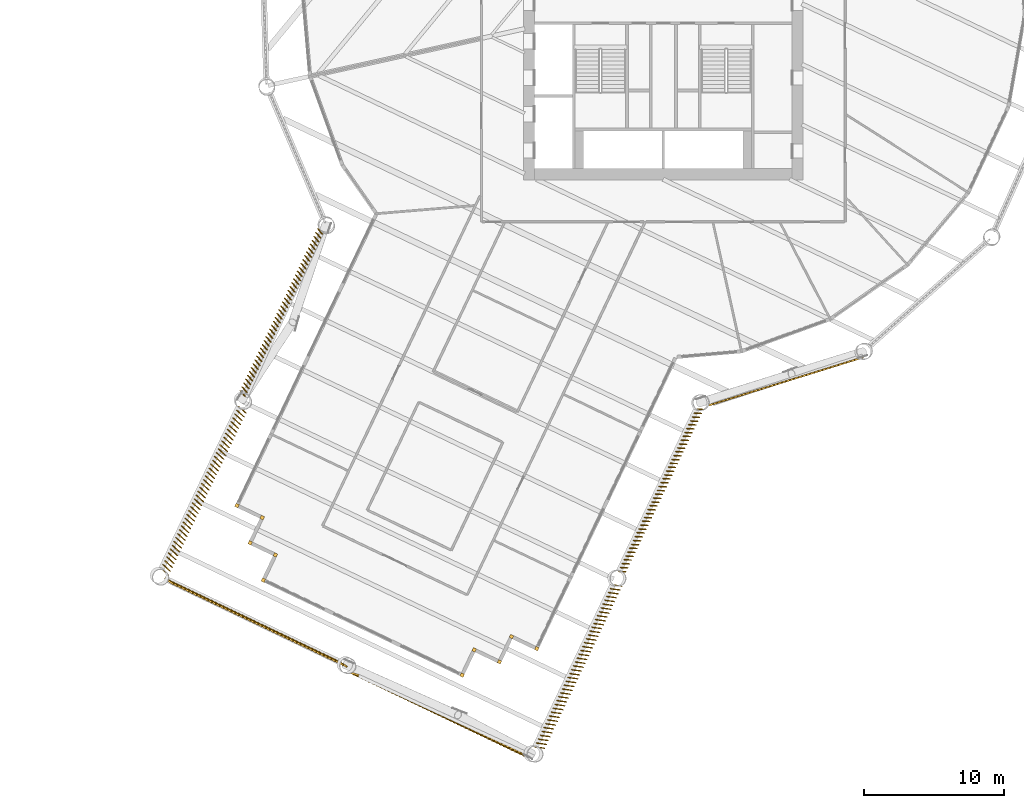
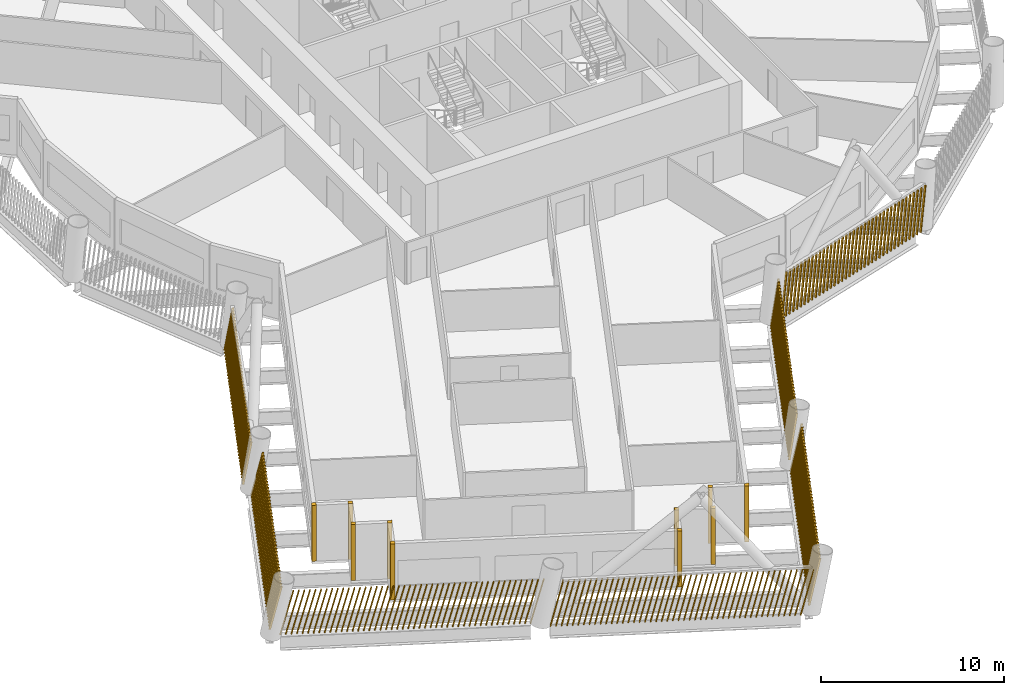
# One storey, part 17 of 22: 17 shading devices.
"""IFC4 building model written with IfcOpenShell, lengths in metres."""

from ifc_helpers import new_model, si_unit, direction, frame, frame_2d, origin, origin_2d, place, context, subcontext, project, spatial, rectangle, composite_profile, extrude, material, type_object, element, save


model = new_model("IFC4")

# Units and contexts
model_context = context("Model", 3, precision=1e-05, world=origin(), true_north=direction((0.0, 1.0)))
body_context = subcontext(model_context, "Body", "Model", "MODEL_VIEW")
ifc_project = project(units=[si_unit("LENGTHUNIT", "METRE"), si_unit("AREAUNIT", "SQUARE_METRE"), si_unit("VOLUMEUNIT", "CUBIC_METRE"), si_unit("PLANEANGLEUNIT", "RADIAN"), si_unit("MASSUNIT", "GRAM", prefix="KILO")], contexts=[model_context])

# Site, building, storey
site_placement = place(None, origin())
site = spatial("IfcSite", under=ifc_project, at=site_placement, CompositionType="ELEMENT")
building_placement = place(site_placement, origin())
building = spatial("IfcBuilding", under=site, at=building_placement, Name="Tarsis Ring Headquarters", CompositionType="ELEMENT")
storey_placement = place(building_placement, frame((0.0, 0.0, 108.39990234375)))
storey = spatial("IfcBuildingStorey", under=building, at=storey_placement, Name="L24", CompositionType="ELEMENT", Elevation=108.39990234375)

# Shading devices
ifc_material = material(Name="Terracotta baguette", Category="masonry")
shading_device_type_1 = type_object("IfcShadingDeviceType", Name="Terracotta baguette screen", PredefinedType="USERDEFINED", material=ifc_material)
shading_device_1_placement = place(storey_placement, frame((-24.678466796875, -16.47021484375, 0.0), z_axis=(0.0, 0.0, 1.0), x_axis=(-0.430839388435, -0.902437178323, 0.0)))
element("IfcShadingDevice", 1, at=shading_device_1_placement, inside=storey, type_object=shading_device_type_1, Name="Baguette screen L24-01", ObjectType="Terracotta baguette screen", PredefinedType="USERDEFINED", context=body_context, shape_type="SweptSolid", body=[
    extrude(composite_profile([rectangle(XDim=0.06005859375, YDim=0.1201171875, at=frame_2d((0.030029296875, 0.0))), rectangle(XDim=0.06005859375, YDim=0.1201171875, at=frame_2d((0.335693359375, 0.0))), rectangle(XDim=0.06005859375, YDim=0.1201171875, at=frame_2d((0.6416015625, 0.0))), rectangle(XDim=0.06005859375, YDim=0.1201171875, at=frame_2d((0.947265625, 0.0))), rectangle(XDim=0.06005859375, YDim=0.1201171875, at=frame_2d((1.253173828125, 0.0))), rectangle(XDim=0.06005859375, YDim=0.1201171875, at=frame_2d((1.558837890625, 0.0))), rectangle(XDim=0.06005859375, YDim=0.1201171875, at=frame_2d((1.864501953125, 0.0))), rectangle(XDim=0.06005859375, YDim=0.1201171875, at=frame_2d((2.17041015625, 0.0))), rectangle(XDim=0.06005859375, YDim=0.1201171875, at=frame_2d((2.47607421875, 0.0))), rectangle(XDim=0.06005859375, YDim=0.1201171875, at=frame_2d((2.781982421875, 0.0))), rectangle(XDim=0.06005859375, YDim=0.1201171875, at=frame_2d((3.087646484375, 0.0))), rectangle(XDim=0.06005859375, YDim=0.1201171875, at=frame_2d((3.393310546875, 0.0))), rectangle(XDim=0.06005859375, YDim=0.1201171875, at=frame_2d((3.69921875, 0.0))), rectangle(XDim=0.06005859375, YDim=0.1201171875, at=frame_2d((4.0048828125, 0.0))), rectangle(XDim=0.06005859375, YDim=0.1201171875, at=frame_2d((4.310791015625, 0.0))), rectangle(XDim=0.06005859375, YDim=0.1201171875, at=frame_2d((4.616455078125, 0.0))), rectangle(XDim=0.06005859375, YDim=0.1201171875, at=frame_2d((4.922119140625, 0.0))), rectangle(XDim=0.06005859375, YDim=0.1201171875, at=frame_2d((5.22802734375, 0.0))), rectangle(XDim=0.06005859375, YDim=0.1201171875, at=frame_2d((5.53369140625, 0.0))), rectangle(XDim=0.06005859375, YDim=0.1201171875, at=frame_2d((5.839599609375, 0.0))), rectangle(XDim=0.06005859375, YDim=0.1201171875, at=frame_2d((6.145263671875, 0.0))), rectangle(XDim=0.06005859375, YDim=0.1201171875, at=frame_2d((6.451171875, 0.0))), rectangle(XDim=0.06005859375, YDim=0.1201171875, at=frame_2d((6.7568359375, 0.0))), rectangle(XDim=0.06005859375, YDim=0.1201171875, at=frame_2d((7.0625, 0.0))), rectangle(XDim=0.06005859375, YDim=0.1201171875, at=frame_2d((7.368408203125, 0.0))), rectangle(XDim=0.06005859375, YDim=0.1201171875, at=frame_2d((7.674072265625, 0.0))), rectangle(XDim=0.06005859375, YDim=0.1201171875, at=frame_2d((7.97998046875, 0.0))), rectangle(XDim=0.06005859375, YDim=0.1201171875, at=frame_2d((8.28564453125, 0.0))), rectangle(XDim=0.06005859375, YDim=0.1201171875, at=frame_2d((8.59130859375, 0.0))), rectangle(XDim=0.06005859375, YDim=0.1201171875, at=frame_2d((8.897216796875, 0.0))), rectangle(XDim=0.06005859375, YDim=0.1201171875, at=frame_2d((9.202880859375, 0.0))), rectangle(XDim=0.06005859375, YDim=0.1201171875, at=frame_2d((9.5087890625, 0.0))), rectangle(XDim=0.06005859375, YDim=0.1201171875, at=frame_2d((9.814453125, 0.0))), rectangle(XDim=0.06005859375, YDim=0.1201171875, at=frame_2d((10.1201171875, 0.0))), rectangle(XDim=0.06005859375, YDim=0.1201171875, at=frame_2d((10.426025390625, 0.0))), rectangle(XDim=0.06005859375, YDim=0.1201171875, at=frame_2d((10.731689453125, 0.0))), rectangle(XDim=0.06005859375, YDim=0.1201171875, at=frame_2d((11.03759765625, 0.0))), rectangle(XDim=0.06005859375, YDim=0.1201171875, at=frame_2d((11.34326171875, 0.0))), rectangle(XDim=0.06005859375, YDim=0.1201171875, at=frame_2d((11.64892578125, 0.0))), rectangle(XDim=0.06005859375, YDim=0.1201171875, at=frame_2d((11.954833984375, 0.0))), rectangle(XDim=0.06005859375, YDim=0.1201171875, at=frame_2d((12.260498046875, 0.0))), rectangle(XDim=0.06005859375, YDim=0.1201171875, at=frame_2d((12.56640625, 0.0))), rectangle(XDim=0.06005859375, YDim=0.1201171875, at=frame_2d((12.8720703125, 0.0)))]), origin(), (0.06806187468, 0.145841908442, 0.986963889389), 2.99169921875),
])
shading_device_2_placement = place(storey_placement, frame((-30.32958984375, -29.177734375, 0.0), z_axis=(0.0, 0.0, 1.0), x_axis=(-0.430828618465, -0.902435332185, 0.0)))
element("IfcShadingDevice", 2, at=shading_device_2_placement, inside=storey, type_object=shading_device_type_1, Name="Baguette screen L24-02", ObjectType="Terracotta baguette screen", PredefinedType="USERDEFINED", context=body_context, shape_type="SweptSolid", body=[
    extrude(composite_profile([rectangle(XDim=0.06005859375, YDim=0.1201171875, at=frame_2d((0.030029296875, 0.0))), rectangle(XDim=0.06005859375, YDim=0.1201171875, at=frame_2d((0.335693359375, 0.0))), rectangle(XDim=0.06005859375, YDim=0.1201171875, at=frame_2d((0.6416015625, 0.0))), rectangle(XDim=0.06005859375, YDim=0.1201171875, at=frame_2d((0.947265625, 0.0))), rectangle(XDim=0.06005859375, YDim=0.1201171875, at=frame_2d((1.253173828125, 0.0))), rectangle(XDim=0.06005859375, YDim=0.1201171875, at=frame_2d((1.558837890625, 0.0))), rectangle(XDim=0.06005859375, YDim=0.1201171875, at=frame_2d((1.864501953125, 0.0))), rectangle(XDim=0.06005859375, YDim=0.1201171875, at=frame_2d((2.17041015625, 0.0))), rectangle(XDim=0.06005859375, YDim=0.1201171875, at=frame_2d((2.47607421875, 0.0))), rectangle(XDim=0.06005859375, YDim=0.1201171875, at=frame_2d((2.781982421875, 0.0))), rectangle(XDim=0.06005859375, YDim=0.1201171875, at=frame_2d((3.087646484375, 0.0))), rectangle(XDim=0.06005859375, YDim=0.1201171875, at=frame_2d((3.393310546875, 0.0))), rectangle(XDim=0.06005859375, YDim=0.1201171875, at=frame_2d((3.69921875, 0.0))), rectangle(XDim=0.06005859375, YDim=0.1201171875, at=frame_2d((4.0048828125, 0.0))), rectangle(XDim=0.06005859375, YDim=0.1201171875, at=frame_2d((4.310791015625, 0.0))), rectangle(XDim=0.06005859375, YDim=0.1201171875, at=frame_2d((4.616455078125, 0.0))), rectangle(XDim=0.06005859375, YDim=0.1201171875, at=frame_2d((4.922119140625, 0.0))), rectangle(XDim=0.06005859375, YDim=0.1201171875, at=frame_2d((5.22802734375, 0.0))), rectangle(XDim=0.06005859375, YDim=0.1201171875, at=frame_2d((5.53369140625, 0.0))), rectangle(XDim=0.06005859375, YDim=0.1201171875, at=frame_2d((5.839599609375, 0.0))), rectangle(XDim=0.06005859375, YDim=0.1201171875, at=frame_2d((6.145263671875, 0.0))), rectangle(XDim=0.06005859375, YDim=0.1201171875, at=frame_2d((6.451171875, 0.0))), rectangle(XDim=0.06005859375, YDim=0.1201171875, at=frame_2d((6.7568359375, 0.0))), rectangle(XDim=0.06005859375, YDim=0.1201171875, at=frame_2d((7.0625, 0.0))), rectangle(XDim=0.06005859375, YDim=0.1201171875, at=frame_2d((7.368408203125, 0.0))), rectangle(XDim=0.06005859375, YDim=0.1201171875, at=frame_2d((7.674072265625, 0.0))), rectangle(XDim=0.06005859375, YDim=0.1201171875, at=frame_2d((7.97998046875, 0.0))), rectangle(XDim=0.06005859375, YDim=0.1201171875, at=frame_2d((8.28564453125, 0.0))), rectangle(XDim=0.06005859375, YDim=0.1201171875, at=frame_2d((8.59130859375, 0.0))), rectangle(XDim=0.06005859375, YDim=0.1201171875, at=frame_2d((8.897216796875, 0.0))), rectangle(XDim=0.06005859375, YDim=0.1201171875, at=frame_2d((9.202880859375, 0.0))), rectangle(XDim=0.06005859375, YDim=0.1201171875, at=frame_2d((9.5087890625, 0.0))), rectangle(XDim=0.06005859375, YDim=0.1201171875, at=frame_2d((9.814453125, 0.0))), rectangle(XDim=0.06005859375, YDim=0.1201171875, at=frame_2d((10.1201171875, 0.0))), rectangle(XDim=0.06005859375, YDim=0.1201171875, at=frame_2d((10.426025390625, 0.0))), rectangle(XDim=0.06005859375, YDim=0.1201171875, at=frame_2d((10.731689453125, 0.0))), rectangle(XDim=0.06005859375, YDim=0.1201171875, at=frame_2d((11.03759765625, 0.0))), rectangle(XDim=0.06005859375, YDim=0.1201171875, at=frame_2d((11.34326171875, 0.0))), rectangle(XDim=0.06005859375, YDim=0.1201171875, at=frame_2d((11.64892578125, 0.0))), rectangle(XDim=0.06005859375, YDim=0.1201171875, at=frame_2d((11.954833984375, 0.0))), rectangle(XDim=0.06005859375, YDim=0.1201171875, at=frame_2d((12.260498046875, 0.0))), rectangle(XDim=0.06005859375, YDim=0.1201171875, at=frame_2d((12.56640625, 0.0))), rectangle(XDim=0.06005859375, YDim=0.1201171875, at=frame_2d((12.8720703125, 0.0)))]), origin(), (0.065206990385, 0.206810586402, 0.976205628829), 3.024658203125),
])
shading_device_3_placement = place(storey_placement, frame((-35.65234375, -41.48779296875, 0.0), z_axis=(0.0, 0.0, 1.0), x_axis=(0.902432551968, -0.430818222026, 0.0)))
element("IfcShadingDevice", 3, at=shading_device_3_placement, inside=storey, type_object=shading_device_type_1, Name="Baguette screen L24-03", ObjectType="Terracotta baguette screen", PredefinedType="USERDEFINED", context=body_context, shape_type="SweptSolid", body=[
    extrude(composite_profile([rectangle(XDim=0.06005859375, YDim=0.1201171875, at=frame_2d((0.030029296875, 0.0))), rectangle(XDim=0.06005859375, YDim=0.1201171875, at=frame_2d((0.33544921875, 0.0))), rectangle(XDim=0.06005859375, YDim=0.1201171875, at=frame_2d((0.640625, 0.0))), rectangle(XDim=0.06005859375, YDim=0.1201171875, at=frame_2d((0.946044921875, 0.0))), rectangle(XDim=0.06005859375, YDim=0.1201171875, at=frame_2d((1.25146484375, 0.0))), rectangle(XDim=0.06005859375, YDim=0.1201171875, at=frame_2d((1.556640625, 0.0))), rectangle(XDim=0.06005859375, YDim=0.1201171875, at=frame_2d((1.862060546875, 0.0))), rectangle(XDim=0.06005859375, YDim=0.1201171875, at=frame_2d((2.16748046875, 0.0))), rectangle(XDim=0.06005859375, YDim=0.1201171875, at=frame_2d((2.47265625, 0.0))), rectangle(XDim=0.06005859375, YDim=0.1201171875, at=frame_2d((2.778076171875, 0.0))), rectangle(XDim=0.06005859375, YDim=0.1201171875, at=frame_2d((3.08349609375, 0.0))), rectangle(XDim=0.06005859375, YDim=0.1201171875, at=frame_2d((3.388671875, 0.0))), rectangle(XDim=0.06005859375, YDim=0.1201171875, at=frame_2d((3.694091796875, 0.0))), rectangle(XDim=0.06005859375, YDim=0.1201171875, at=frame_2d((3.99951171875, 0.0))), rectangle(XDim=0.06005859375, YDim=0.1201171875, at=frame_2d((4.3046875, 0.0))), rectangle(XDim=0.06005859375, YDim=0.1201171875, at=frame_2d((4.610107421875, 0.0))), rectangle(XDim=0.06005859375, YDim=0.1201171875, at=frame_2d((4.91552734375, 0.0))), rectangle(XDim=0.06005859375, YDim=0.1201171875, at=frame_2d((5.220703125, 0.0))), rectangle(XDim=0.06005859375, YDim=0.1201171875, at=frame_2d((5.526123046875, 0.0))), rectangle(XDim=0.06005859375, YDim=0.1201171875, at=frame_2d((5.83154296875, 0.0))), rectangle(XDim=0.06005859375, YDim=0.1201171875, at=frame_2d((6.13671875, 0.0))), rectangle(XDim=0.06005859375, YDim=0.1201171875, at=frame_2d((6.442138671875, 0.0))), rectangle(XDim=0.06005859375, YDim=0.1201171875, at=frame_2d((6.74755859375, 0.0))), rectangle(XDim=0.06005859375, YDim=0.1201171875, at=frame_2d((7.052734375, 0.0))), rectangle(XDim=0.06005859375, YDim=0.1201171875, at=frame_2d((7.358154296875, 0.0))), rectangle(XDim=0.06005859375, YDim=0.1201171875, at=frame_2d((7.66357421875, 0.0))), rectangle(XDim=0.06005859375, YDim=0.1201171875, at=frame_2d((7.96875, 0.0))), rectangle(XDim=0.06005859375, YDim=0.1201171875, at=frame_2d((8.274169921875, 0.0))), rectangle(XDim=0.06005859375, YDim=0.1201171875, at=frame_2d((8.57958984375, 0.0))), rectangle(XDim=0.06005859375, YDim=0.1201171875, at=frame_2d((8.884765625, 0.0))), rectangle(XDim=0.06005859375, YDim=0.1201171875, at=frame_2d((9.190185546875, 0.0))), rectangle(XDim=0.06005859375, YDim=0.1201171875, at=frame_2d((9.49560546875, 0.0))), rectangle(XDim=0.06005859375, YDim=0.1201171875, at=frame_2d((9.80078125, 0.0))), rectangle(XDim=0.06005859375, YDim=0.1201171875, at=frame_2d((10.106201171875, 0.0))), rectangle(XDim=0.06005859375, YDim=0.1201171875, at=frame_2d((10.41162109375, 0.0))), rectangle(XDim=0.06005859375, YDim=0.1201171875, at=frame_2d((10.716796875, 0.0))), rectangle(XDim=0.06005859375, YDim=0.1201171875, at=frame_2d((11.022216796875, 0.0))), rectangle(XDim=0.06005859375, YDim=0.1201171875, at=frame_2d((11.32763671875, 0.0))), rectangle(XDim=0.06005859375, YDim=0.1201171875, at=frame_2d((11.6328125, 0.0))), rectangle(XDim=0.06005859375, YDim=0.1201171875, at=frame_2d((11.938232421875, 0.0))), rectangle(XDim=0.06005859375, YDim=0.1201171875, at=frame_2d((12.24365234375, 0.0))), rectangle(XDim=0.06005859375, YDim=0.1201171875, at=frame_2d((12.548828125, 0.0))), rectangle(XDim=0.06005859375, YDim=0.1201171875, at=frame_2d((12.854248046875, 0.0))), rectangle(XDim=0.06005859375, YDim=0.1201171875, at=frame_2d((13.15966796875, 0.0))), rectangle(XDim=0.06005859375, YDim=0.1201171875, at=frame_2d((13.46484375, 0.0))), rectangle(XDim=0.06005859375, YDim=0.1201171875, at=frame_2d((13.770263671875, 0.0)))]), origin(), (0.236621049518, -0.031523690631, 0.971090487984), 3.04052734375),
])
shading_device_4_placement = place(storey_placement, frame((-22.4580078125, -48.202392578125, 0.0), z_axis=(0.0, 0.0, 1.0), x_axis=(0.902432551968, -0.430818222026, 0.0)))
element("IfcShadingDevice", 4, at=shading_device_4_placement, inside=storey, type_object=shading_device_type_1, Name="Baguette screen L24-04", ObjectType="Terracotta baguette screen", PredefinedType="USERDEFINED", context=body_context, shape_type="SweptSolid", body=[
    extrude(composite_profile([rectangle(XDim=0.06005859375, YDim=0.1201171875, at=frame_2d((0.030029296875, 0.0))), rectangle(XDim=0.06005859375, YDim=0.1201171875, at=frame_2d((0.33544921875, 0.0))), rectangle(XDim=0.06005859375, YDim=0.1201171875, at=frame_2d((0.640625, 0.0))), rectangle(XDim=0.06005859375, YDim=0.1201171875, at=frame_2d((0.946044921875, 0.0))), rectangle(XDim=0.06005859375, YDim=0.1201171875, at=frame_2d((1.25146484375, 0.0))), rectangle(XDim=0.06005859375, YDim=0.1201171875, at=frame_2d((1.556640625, 0.0))), rectangle(XDim=0.06005859375, YDim=0.1201171875, at=frame_2d((1.862060546875, 0.0))), rectangle(XDim=0.06005859375, YDim=0.1201171875, at=frame_2d((2.16748046875, 0.0))), rectangle(XDim=0.06005859375, YDim=0.1201171875, at=frame_2d((2.47265625, 0.0))), rectangle(XDim=0.06005859375, YDim=0.1201171875, at=frame_2d((2.778076171875, 0.0))), rectangle(XDim=0.06005859375, YDim=0.1201171875, at=frame_2d((3.08349609375, 0.0))), rectangle(XDim=0.06005859375, YDim=0.1201171875, at=frame_2d((3.388671875, 0.0))), rectangle(XDim=0.06005859375, YDim=0.1201171875, at=frame_2d((3.694091796875, 0.0))), rectangle(XDim=0.06005859375, YDim=0.1201171875, at=frame_2d((3.99951171875, 0.0))), rectangle(XDim=0.06005859375, YDim=0.1201171875, at=frame_2d((4.3046875, 0.0))), rectangle(XDim=0.06005859375, YDim=0.1201171875, at=frame_2d((4.610107421875, 0.0))), rectangle(XDim=0.06005859375, YDim=0.1201171875, at=frame_2d((4.91552734375, 0.0))), rectangle(XDim=0.06005859375, YDim=0.1201171875, at=frame_2d((5.220703125, 0.0))), rectangle(XDim=0.06005859375, YDim=0.1201171875, at=frame_2d((5.526123046875, 0.0))), rectangle(XDim=0.06005859375, YDim=0.1201171875, at=frame_2d((5.83154296875, 0.0))), rectangle(XDim=0.06005859375, YDim=0.1201171875, at=frame_2d((6.13671875, 0.0))), rectangle(XDim=0.06005859375, YDim=0.1201171875, at=frame_2d((6.442138671875, 0.0))), rectangle(XDim=0.06005859375, YDim=0.1201171875, at=frame_2d((6.74755859375, 0.0))), rectangle(XDim=0.06005859375, YDim=0.1201171875, at=frame_2d((7.052734375, 0.0))), rectangle(XDim=0.06005859375, YDim=0.1201171875, at=frame_2d((7.358154296875, 0.0))), rectangle(XDim=0.06005859375, YDim=0.1201171875, at=frame_2d((7.66357421875, 0.0))), rectangle(XDim=0.06005859375, YDim=0.1201171875, at=frame_2d((7.96875, 0.0))), rectangle(XDim=0.06005859375, YDim=0.1201171875, at=frame_2d((8.274169921875, 0.0))), rectangle(XDim=0.06005859375, YDim=0.1201171875, at=frame_2d((8.57958984375, 0.0))), rectangle(XDim=0.06005859375, YDim=0.1201171875, at=frame_2d((8.884765625, 0.0))), rectangle(XDim=0.06005859375, YDim=0.1201171875, at=frame_2d((9.190185546875, 0.0))), rectangle(XDim=0.06005859375, YDim=0.1201171875, at=frame_2d((9.49560546875, 0.0))), rectangle(XDim=0.06005859375, YDim=0.1201171875, at=frame_2d((9.80078125, 0.0))), rectangle(XDim=0.06005859375, YDim=0.1201171875, at=frame_2d((10.106201171875, 0.0))), rectangle(XDim=0.06005859375, YDim=0.1201171875, at=frame_2d((10.41162109375, 0.0))), rectangle(XDim=0.06005859375, YDim=0.1201171875, at=frame_2d((10.716796875, 0.0))), rectangle(XDim=0.06005859375, YDim=0.1201171875, at=frame_2d((11.022216796875, 0.0))), rectangle(XDim=0.06005859375, YDim=0.1201171875, at=frame_2d((11.32763671875, 0.0))), rectangle(XDim=0.06005859375, YDim=0.1201171875, at=frame_2d((11.6328125, 0.0))), rectangle(XDim=0.06005859375, YDim=0.1201171875, at=frame_2d((11.938232421875, 0.0))), rectangle(XDim=0.06005859375, YDim=0.1201171875, at=frame_2d((12.24365234375, 0.0))), rectangle(XDim=0.06005859375, YDim=0.1201171875, at=frame_2d((12.548828125, 0.0))), rectangle(XDim=0.06005859375, YDim=0.1201171875, at=frame_2d((12.854248046875, 0.0))), rectangle(XDim=0.06005859375, YDim=0.1201171875, at=frame_2d((13.15966796875, 0.0))), rectangle(XDim=0.06005859375, YDim=0.1201171875, at=frame_2d((13.46484375, 0.0))), rectangle(XDim=0.06005859375, YDim=0.1201171875, at=frame_2d((13.770263671875, 0.0)))]), origin(), (0.237754691474, 0.034736517469, 0.970703910076), 3.041748046875),
])
shading_device_5_placement = place(storey_placement, frame((-9.17626953125, -53.573486328125, 0.0), z_axis=(0.0, 0.0, 1.0), x_axis=(0.430839388435, 0.902418256131, 0.0)))
element("IfcShadingDevice", 5, at=shading_device_5_placement, inside=storey, type_object=shading_device_type_1, Name="Baguette screen L24-05", ObjectType="Terracotta baguette screen", PredefinedType="USERDEFINED", context=body_context, shape_type="SweptSolid", body=[
    extrude(composite_profile([rectangle(XDim=0.06005859375, YDim=0.1201171875, at=frame_2d((0.030029296875, 0.0))), rectangle(XDim=0.06005859375, YDim=0.1201171875, at=frame_2d((0.335693359375, 0.0))), rectangle(XDim=0.06005859375, YDim=0.1201171875, at=frame_2d((0.6416015625, 0.0))), rectangle(XDim=0.06005859375, YDim=0.1201171875, at=frame_2d((0.947265625, 0.0))), rectangle(XDim=0.06005859375, YDim=0.1201171875, at=frame_2d((1.253173828125, 0.0))), rectangle(XDim=0.06005859375, YDim=0.1201171875, at=frame_2d((1.558837890625, 0.0))), rectangle(XDim=0.06005859375, YDim=0.1201171875, at=frame_2d((1.864501953125, 0.0))), rectangle(XDim=0.06005859375, YDim=0.1201171875, at=frame_2d((2.17041015625, 0.0))), rectangle(XDim=0.06005859375, YDim=0.1201171875, at=frame_2d((2.47607421875, 0.0))), rectangle(XDim=0.06005859375, YDim=0.1201171875, at=frame_2d((2.781982421875, 0.0))), rectangle(XDim=0.06005859375, YDim=0.1201171875, at=frame_2d((3.087646484375, 0.0))), rectangle(XDim=0.06005859375, YDim=0.1201171875, at=frame_2d((3.393310546875, 0.0))), rectangle(XDim=0.06005859375, YDim=0.1201171875, at=frame_2d((3.69921875, 0.0))), rectangle(XDim=0.06005859375, YDim=0.1201171875, at=frame_2d((4.0048828125, 0.0))), rectangle(XDim=0.06005859375, YDim=0.1201171875, at=frame_2d((4.310791015625, 0.0))), rectangle(XDim=0.06005859375, YDim=0.1201171875, at=frame_2d((4.616455078125, 0.0))), rectangle(XDim=0.06005859375, YDim=0.1201171875, at=frame_2d((4.922119140625, 0.0))), rectangle(XDim=0.06005859375, YDim=0.1201171875, at=frame_2d((5.22802734375, 0.0))), rectangle(XDim=0.06005859375, YDim=0.1201171875, at=frame_2d((5.53369140625, 0.0))), rectangle(XDim=0.06005859375, YDim=0.1201171875, at=frame_2d((5.839599609375, 0.0))), rectangle(XDim=0.06005859375, YDim=0.1201171875, at=frame_2d((6.145263671875, 0.0))), rectangle(XDim=0.06005859375, YDim=0.1201171875, at=frame_2d((6.451171875, 0.0))), rectangle(XDim=0.06005859375, YDim=0.1201171875, at=frame_2d((6.7568359375, 0.0))), rectangle(XDim=0.06005859375, YDim=0.1201171875, at=frame_2d((7.0625, 0.0))), rectangle(XDim=0.06005859375, YDim=0.1201171875, at=frame_2d((7.368408203125, 0.0))), rectangle(XDim=0.06005859375, YDim=0.1201171875, at=frame_2d((7.674072265625, 0.0))), rectangle(XDim=0.06005859375, YDim=0.1201171875, at=frame_2d((7.97998046875, 0.0))), rectangle(XDim=0.06005859375, YDim=0.1201171875, at=frame_2d((8.28564453125, 0.0))), rectangle(XDim=0.06005859375, YDim=0.1201171875, at=frame_2d((8.59130859375, 0.0))), rectangle(XDim=0.06005859375, YDim=0.1201171875, at=frame_2d((8.897216796875, 0.0))), rectangle(XDim=0.06005859375, YDim=0.1201171875, at=frame_2d((9.202880859375, 0.0))), rectangle(XDim=0.06005859375, YDim=0.1201171875, at=frame_2d((9.5087890625, 0.0))), rectangle(XDim=0.06005859375, YDim=0.1201171875, at=frame_2d((9.814453125, 0.0))), rectangle(XDim=0.06005859375, YDim=0.1201171875, at=frame_2d((10.1201171875, 0.0))), rectangle(XDim=0.06005859375, YDim=0.1201171875, at=frame_2d((10.426025390625, 0.0))), rectangle(XDim=0.06005859375, YDim=0.1201171875, at=frame_2d((10.731689453125, 0.0))), rectangle(XDim=0.06005859375, YDim=0.1201171875, at=frame_2d((11.03759765625, 0.0))), rectangle(XDim=0.06005859375, YDim=0.1201171875, at=frame_2d((11.34326171875, 0.0))), rectangle(XDim=0.06005859375, YDim=0.1201171875, at=frame_2d((11.64892578125, 0.0))), rectangle(XDim=0.06005859375, YDim=0.1201171875, at=frame_2d((11.954833984375, 0.0))), rectangle(XDim=0.06005859375, YDim=0.1201171875, at=frame_2d((12.260498046875, 0.0))), rectangle(XDim=0.06005859375, YDim=0.1201171875, at=frame_2d((12.56640625, 0.0))), rectangle(XDim=0.06005859375, YDim=0.1201171875, at=frame_2d((12.8720703125, 0.0)))]), origin(), (0.068020031427, -0.205900125441, 0.976206132775), 3.024658203125),
])
shading_device_6_placement = place(storey_placement, frame((-3.186767578125, -41.027587890625, 0.0), z_axis=(0.0, 0.0, 1.0), x_axis=(0.430828618465, 0.902435332185, 0.0)))
element("IfcShadingDevice", 6, at=shading_device_6_placement, inside=storey, type_object=shading_device_type_1, Name="Baguette screen L24-06", ObjectType="Terracotta baguette screen", PredefinedType="USERDEFINED", context=body_context, shape_type="SweptSolid", body=[
    extrude(composite_profile([rectangle(XDim=0.06005859375, YDim=0.1201171875, at=frame_2d((0.030029296875, 0.0))), rectangle(XDim=0.06005859375, YDim=0.1201171875, at=frame_2d((0.335693359375, 0.0))), rectangle(XDim=0.06005859375, YDim=0.1201171875, at=frame_2d((0.6416015625, 0.0))), rectangle(XDim=0.06005859375, YDim=0.1201171875, at=frame_2d((0.947265625, 0.0))), rectangle(XDim=0.06005859375, YDim=0.1201171875, at=frame_2d((1.253173828125, 0.0))), rectangle(XDim=0.06005859375, YDim=0.1201171875, at=frame_2d((1.558837890625, 0.0))), rectangle(XDim=0.06005859375, YDim=0.1201171875, at=frame_2d((1.864501953125, 0.0))), rectangle(XDim=0.06005859375, YDim=0.1201171875, at=frame_2d((2.17041015625, 0.0))), rectangle(XDim=0.06005859375, YDim=0.1201171875, at=frame_2d((2.47607421875, 0.0))), rectangle(XDim=0.06005859375, YDim=0.1201171875, at=frame_2d((2.781982421875, 0.0))), rectangle(XDim=0.06005859375, YDim=0.1201171875, at=frame_2d((3.087646484375, 0.0))), rectangle(XDim=0.06005859375, YDim=0.1201171875, at=frame_2d((3.393310546875, 0.0))), rectangle(XDim=0.06005859375, YDim=0.1201171875, at=frame_2d((3.69921875, 0.0))), rectangle(XDim=0.06005859375, YDim=0.1201171875, at=frame_2d((4.0048828125, 0.0))), rectangle(XDim=0.06005859375, YDim=0.1201171875, at=frame_2d((4.310791015625, 0.0))), rectangle(XDim=0.06005859375, YDim=0.1201171875, at=frame_2d((4.616455078125, 0.0))), rectangle(XDim=0.06005859375, YDim=0.1201171875, at=frame_2d((4.922119140625, 0.0))), rectangle(XDim=0.06005859375, YDim=0.1201171875, at=frame_2d((5.22802734375, 0.0))), rectangle(XDim=0.06005859375, YDim=0.1201171875, at=frame_2d((5.53369140625, 0.0))), rectangle(XDim=0.06005859375, YDim=0.1201171875, at=frame_2d((5.839599609375, 0.0))), rectangle(XDim=0.06005859375, YDim=0.1201171875, at=frame_2d((6.145263671875, 0.0))), rectangle(XDim=0.06005859375, YDim=0.1201171875, at=frame_2d((6.451171875, 0.0))), rectangle(XDim=0.06005859375, YDim=0.1201171875, at=frame_2d((6.7568359375, 0.0))), rectangle(XDim=0.06005859375, YDim=0.1201171875, at=frame_2d((7.0625, 0.0))), rectangle(XDim=0.06005859375, YDim=0.1201171875, at=frame_2d((7.368408203125, 0.0))), rectangle(XDim=0.06005859375, YDim=0.1201171875, at=frame_2d((7.674072265625, 0.0))), rectangle(XDim=0.06005859375, YDim=0.1201171875, at=frame_2d((7.97998046875, 0.0))), rectangle(XDim=0.06005859375, YDim=0.1201171875, at=frame_2d((8.28564453125, 0.0))), rectangle(XDim=0.06005859375, YDim=0.1201171875, at=frame_2d((8.59130859375, 0.0))), rectangle(XDim=0.06005859375, YDim=0.1201171875, at=frame_2d((8.897216796875, 0.0))), rectangle(XDim=0.06005859375, YDim=0.1201171875, at=frame_2d((9.202880859375, 0.0))), rectangle(XDim=0.06005859375, YDim=0.1201171875, at=frame_2d((9.5087890625, 0.0))), rectangle(XDim=0.06005859375, YDim=0.1201171875, at=frame_2d((9.814453125, 0.0))), rectangle(XDim=0.06005859375, YDim=0.1201171875, at=frame_2d((10.1201171875, 0.0))), rectangle(XDim=0.06005859375, YDim=0.1201171875, at=frame_2d((10.426025390625, 0.0))), rectangle(XDim=0.06005859375, YDim=0.1201171875, at=frame_2d((10.731689453125, 0.0))), rectangle(XDim=0.06005859375, YDim=0.1201171875, at=frame_2d((11.03759765625, 0.0))), rectangle(XDim=0.06005859375, YDim=0.1201171875, at=frame_2d((11.34326171875, 0.0))), rectangle(XDim=0.06005859375, YDim=0.1201171875, at=frame_2d((11.64892578125, 0.0))), rectangle(XDim=0.06005859375, YDim=0.1201171875, at=frame_2d((11.954833984375, 0.0))), rectangle(XDim=0.06005859375, YDim=0.1201171875, at=frame_2d((12.260498046875, 0.0))), rectangle(XDim=0.06005859375, YDim=0.1201171875, at=frame_2d((12.56640625, 0.0))), rectangle(XDim=0.06005859375, YDim=0.1201171875, at=frame_2d((12.8720703125, 0.0)))]), origin(), (0.068343771063, -0.144928595924, 0.987078938606), 2.9912109375),
])
shading_device_7_placement = place(storey_placement, frame((3.176025390625, -29.142578125, 0.0), z_axis=(0.0, 0.0, 1.0), x_axis=(0.954857192465, 0.297052695546, 0.0)))
element("IfcShadingDevice", 7, at=shading_device_7_placement, inside=storey, type_object=shading_device_type_1, Name="Baguette screen L24-07", ObjectType="Terracotta baguette screen", PredefinedType="USERDEFINED", context=body_context, shape_type="SweptSolid", body=[
    extrude(composite_profile([rectangle(XDim=0.06005859375, YDim=0.1201171875, at=frame_2d((0.030029296875, 0.0))), rectangle(XDim=0.06005859375, YDim=0.1201171875, at=frame_2d((0.33251953125, 0.0))), rectangle(XDim=0.06005859375, YDim=0.1201171875, at=frame_2d((0.634765625, 0.0))), rectangle(XDim=0.06005859375, YDim=0.1201171875, at=frame_2d((0.937255859375, 0.0))), rectangle(XDim=0.06005859375, YDim=0.1201171875, at=frame_2d((1.239501953125, 0.0))), rectangle(XDim=0.06005859375, YDim=0.1201171875, at=frame_2d((1.5419921875, 0.0))), rectangle(XDim=0.06005859375, YDim=0.1201171875, at=frame_2d((1.844482421875, 0.0))), rectangle(XDim=0.06005859375, YDim=0.1201171875, at=frame_2d((2.146728515625, 0.0))), rectangle(XDim=0.06005859375, YDim=0.1201171875, at=frame_2d((2.44921875, 0.0))), rectangle(XDim=0.06005859375, YDim=0.1201171875, at=frame_2d((2.751708984375, 0.0))), rectangle(XDim=0.06005859375, YDim=0.1201171875, at=frame_2d((3.053955078125, 0.0))), rectangle(XDim=0.06005859375, YDim=0.1201171875, at=frame_2d((3.3564453125, 0.0))), rectangle(XDim=0.06005859375, YDim=0.1201171875, at=frame_2d((3.65869140625, 0.0))), rectangle(XDim=0.06005859375, YDim=0.1201171875, at=frame_2d((3.961181640625, 0.0))), rectangle(XDim=0.06005859375, YDim=0.1201171875, at=frame_2d((4.263671875, 0.0))), rectangle(XDim=0.06005859375, YDim=0.1201171875, at=frame_2d((4.56591796875, 0.0))), rectangle(XDim=0.06005859375, YDim=0.1201171875, at=frame_2d((4.868408203125, 0.0))), rectangle(XDim=0.06005859375, YDim=0.1201171875, at=frame_2d((5.1708984375, 0.0))), rectangle(XDim=0.06005859375, YDim=0.1201171875, at=frame_2d((5.47314453125, 0.0))), rectangle(XDim=0.06005859375, YDim=0.1201171875, at=frame_2d((5.775634765625, 0.0))), rectangle(XDim=0.06005859375, YDim=0.1201171875, at=frame_2d((6.077880859375, 0.0))), rectangle(XDim=0.06005859375, YDim=0.1201171875, at=frame_2d((6.38037109375, 0.0))), rectangle(XDim=0.06005859375, YDim=0.1201171875, at=frame_2d((6.682861328125, 0.0))), rectangle(XDim=0.06005859375, YDim=0.1201171875, at=frame_2d((6.985107421875, 0.0))), rectangle(XDim=0.06005859375, YDim=0.1201171875, at=frame_2d((7.28759765625, 0.0))), rectangle(XDim=0.06005859375, YDim=0.1201171875, at=frame_2d((7.590087890625, 0.0))), rectangle(XDim=0.06005859375, YDim=0.1201171875, at=frame_2d((7.892333984375, 0.0))), rectangle(XDim=0.06005859375, YDim=0.1201171875, at=frame_2d((8.19482421875, 0.0))), rectangle(XDim=0.06005859375, YDim=0.1201171875, at=frame_2d((8.4970703125, 0.0))), rectangle(XDim=0.06005859375, YDim=0.1201171875, at=frame_2d((8.799560546875, 0.0))), rectangle(XDim=0.06005859375, YDim=0.1201171875, at=frame_2d((9.10205078125, 0.0))), rectangle(XDim=0.06005859375, YDim=0.1201171875, at=frame_2d((9.404296875, 0.0))), rectangle(XDim=0.06005859375, YDim=0.1201171875, at=frame_2d((9.706787109375, 0.0))), rectangle(XDim=0.06005859375, YDim=0.1201171875, at=frame_2d((10.00927734375, 0.0))), rectangle(XDim=0.06005859375, YDim=0.1201171875, at=frame_2d((10.3115234375, 0.0))), rectangle(XDim=0.06005859375, YDim=0.1201171875, at=frame_2d((10.614013671875, 0.0))), rectangle(XDim=0.06005859375, YDim=0.1201171875, at=frame_2d((10.916259765625, 0.0))), rectangle(XDim=0.06005859375, YDim=0.1201171875, at=frame_2d((11.21875, 0.0)))]), origin(), (0.131494626242, 0.000896400339, 0.991316478092), 2.978515625),
])
shading_device_type_2 = type_object("IfcShadingDeviceType", Name="Terracotta corner baguette 250x250", PredefinedType="USERDEFINED", material=ifc_material)
for number, where, z_axis, x_axis, name in (
    (8, (-30.48046875, -36.283203125, 0.0), (0.0, 0.0, 1.0), (-0.430826148024, -0.902434945123, 0.0), "Corner baguette L24-07"),
    (9, (-28.67578125, -37.144775390625, 0.0), (0.0, 0.0, 1.0), (0.902435103029, -0.430825817264, 0.0), "Corner baguette L24-08"),
    (10, (-29.537353515625, -38.94970703125, 0.0), (0.0, 0.0, 1.0), (-0.430826415782, -0.902434817294, 0.0), "Corner baguette L24-09"),
    (11, (-27.732421875, -39.811279296875, 0.0), (0.0, 0.0, 1.0), (0.902435012797, -0.43082600627, 0.0), "Corner baguette L24-10"),
    (12, (-28.59423828125, -41.6162109375, 0.0), (0.0, 0.0, 1.0), (-0.430825817264, -0.902435103029, 0.0), "Corner baguette L24-11"),
    (13, (-14.380859375, -48.401611328125, 0.0), (0.0, 0.0, 1.0), (0.9024349752, -0.430826085022, 0.0), "Corner baguette L24-12"),
    (14, (-13.51904296875, -46.596923828125, 0.0), (0.0, 0.0, 1.0), (0.430826195275, 0.902434922565, 0.0), "Corner baguette L24-13"),
    (15, (-11.71435546875, -47.45849609375, 0.0), (0.0, 0.0, 1.0), (0.902435012797, -0.43082600627, 0.0), "Corner baguette L24-14"),
    (16, (-10.8525390625, -45.653564453125, 0.0), (0.0, 0.0, 1.0), (0.430826415782, 0.902434817294, 0.0), "Corner baguette L24-15"),
    (17, (-9.0478515625, -46.515380859375, 0.0), (0.0, 0.0, 1.0), (0.902434922565, -0.430826195275, 0.0), "Corner baguette L24-16"),
):
    element("IfcShadingDevice", number, at=place(storey_placement, frame(where, z_axis=z_axis, x_axis=x_axis)), inside=storey, type_object=shading_device_type_2, Name=name, ObjectType="Terracotta corner baguette", PredefinedType="USERDEFINED", context=body_context, shape_type="SweptSolid", body=[
        extrude(rectangle(XDim=0.25, YDim=0.25, at=origin_2d()), origin(), (0.0, 0.0, 1.0), 3.739990234375),
    ])

save(model, "model.ifc")
